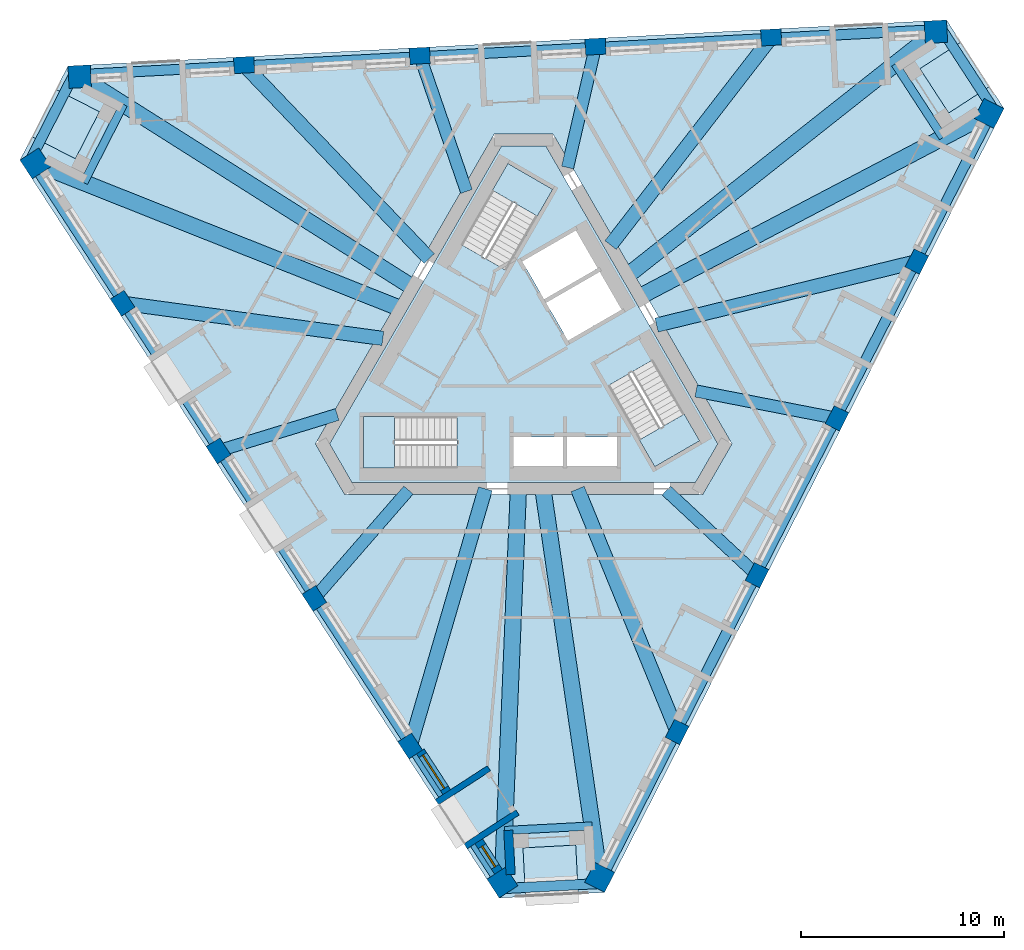
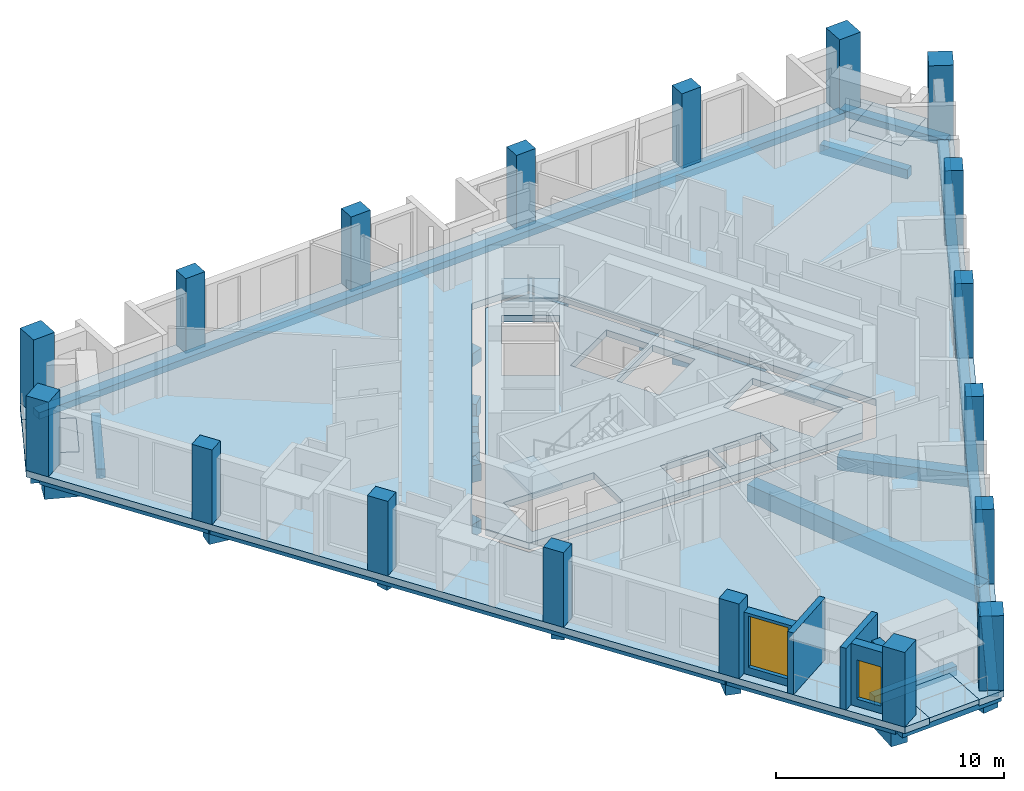
# One storey, part 1 of 13: 27 beams, 18 columns, 8 slabs, 5 walls, 2 windows, 2 openings, 3 elements without a shape of their own.
"""IFC4 building model written with IfcOpenShell, lengths in metres."""

from ifc_helpers import new_model, si_unit, direction, frame, frame_2d, origin, origin_2d, place, context, subcontext, project, spatial, polyline, rectangle, outline, extrude, material, layer, layer_set, material_profile, profile_set, type_object, element, fill, aggregate, save


model = new_model("IFC4")

# Units and contexts
model_context = context("Model", 3, precision=1e-05, world=origin(), true_north=direction((0.0, 1.0)))
body_context = subcontext(model_context, "Body", "Model", "MODEL_VIEW")
ifc_project = project(units=[si_unit("LENGTHUNIT", "METRE"), si_unit("AREAUNIT", "SQUARE_METRE"), si_unit("VOLUMEUNIT", "CUBIC_METRE"), si_unit("PLANEANGLEUNIT", "RADIAN"), si_unit("MASSUNIT", "GRAM", prefix="KILO")], contexts=[model_context])

# Site, building, storey
site_placement = place(None, origin())
site = spatial("IfcSite", under=ifc_project, at=site_placement, CompositionType="ELEMENT")
building_placement = place(site_placement, origin())
building = spatial("IfcBuilding", under=site, at=building_placement, Name="Tramontana Tower", CompositionType="ELEMENT")
storey_placement = place(building_placement, frame((0.0, 0.0, 294.39990234375)))
storey = spatial("IfcBuildingStorey", under=building, at=storey_placement, Name="L69", CompositionType="ELEMENT", Elevation=294.39990234375)

# Columns
ifc_material_1 = material(Name="Concrete 55 MPa", Category="concrete")
ifc_material_profile_1 = material_profile(ifc_material_1, rectangle(XDim=1.10009765625, YDim=1.10009765625, at=origin_2d()), Name="Mega column 1100X1100 55 MPa")
ifc_profile_set_1 = profile_set([ifc_material_profile_1], Name="Concrete 55 MPa")
column_type_1 = type_object("IfcColumnType", Name="Mega column 1100X1100 55 MPa", PredefinedType="COLUMN", material=ifc_profile_set_1)
for number, where, z_axis, x_axis, name in (
    (1, (-24.0302734375, 9.55419921875, 0.0), (0.0, 0.0, 1.0), (0.544639035015, -0.838670567945, 0.0), "Mega column C7K1 L69"),
    (2, (-1.0458984375, -25.8388671875, 0.0), (0.0, 0.0, 1.0), (0.544639035015, -0.838670567945, 0.0), "Mega column C7K2 L69"),
    (3, (3.740966796875, -25.587890625, 0.0), (0.0, 0.0, 1.0), (0.45399049974, 0.891006524188, 0.0), "Mega column C7K3 L69"),
    (4, (22.900146484375, 12.013671875, 0.0), (0.0, 0.0, 1.0), (0.45399049974, 0.891006524188, 0.0), "Mega column C7K4 L69"),
    (5, (20.289306640625, 16.033935546875, 0.0), (0.0, 0.0, 1.0), (-0.998629534755, -0.052335956243, 0.0), "Mega column C7K5 L69"),
    (6, (-21.854248046875, 13.8251953125, 0.0), (0.0, 0.0, 1.0), (-0.998629534755, -0.052335956243, 0.0), "Mega column C7K6 L69"),
):
    element("IfcColumn", number, at=place(storey_placement, frame(where, z_axis=z_axis, x_axis=x_axis)), inside=storey, type_object=column_type_1, Name=name, PredefinedType="COLUMN", context=body_context, shape_type="SweptSolid", body=[
        extrude(rectangle(XDim=1.10009765625, YDim=1.10009765625, at=origin_2d()), origin(), (0.0, 0.0, 1.0), 4.0),
    ])
ifc_material_2 = material(Name="Concrete 55 MPa", Category="concrete")
ifc_material_profile_2 = material_profile(ifc_material_2, rectangle(XDim=1.0, YDim=0.800048828125, at=origin_2d()), Name="Pier column 1000X800 55 MPa")
ifc_profile_set_2 = profile_set([ifc_material_profile_2], Name="Concrete 55 MPa")
column_type_2 = type_object("IfcColumnType", Name="Pier column 1000X800 55 MPa", PredefinedType="COLUMN", material=ifc_profile_set_2)
for number, where, z_axis, x_axis, name in (
    (7, (-19.739013671875, 2.670654296875, 0.0), (0.0, 0.0, 1.0), (0.544639035015, -0.838670567945, 0.0), "Pier column C7F01 L69"),
    (8, (-15.022216796875, -4.592529296875, 0.0), (0.0, 0.0, 1.0), (0.544639035015, -0.838670567945, 0.0), "Pier column C7F02 L69"),
    (9, (-10.3056640625, -11.855712890625, 0.0), (0.0, 0.0, 1.0), (0.544639035015, -0.838670567945, 0.0), "Pier column C7F03 L69"),
    (10, (-5.5888671875, -19.11865234375, 0.0), (0.0, 0.0, 1.0), (0.544639035015, -0.838670567945, 0.0), "Pier column C7F04 L69"),
    (11, (7.556640625, -18.4296875, 0.0), (0.0, 0.0, 1.0), (0.45399049974, 0.891006524188, 0.0), "Pier column C7F05 L69"),
    (12, (11.48828125, -10.71337890625, 0.0), (0.0, 0.0, 1.0), (0.45399049974, 0.891006524188, 0.0), "Pier column C7F06 L69"),
    (13, (15.419921875, -2.9970703125, 0.0), (0.0, 0.0, 1.0), (0.45399049974, 0.891006524188, 0.0), "Pier column C7F07 L69"),
    (14, (19.351806640625, 4.71923828125, 0.0), (0.0, 0.0, 1.0), (0.45399049974, 0.891006524188, 0.0), "Pier column C7F08 L69"),
    (15, (12.182373046875, 15.75927734375, 0.0), (0.0, 0.0, 1.0), (-0.998629534755, -0.052335956243, 0.0), "Pier column C7F09 L69"),
    (16, (3.533935546875, 15.305908203125, 0.0), (0.0, 0.0, 1.0), (-0.998629534755, -0.052335956243, 0.0), "Pier column C7F10 L69"),
    (17, (-5.114501953125, 14.852783203125, 0.0), (0.0, 0.0, 1.0), (-0.998629534755, -0.052335956243, 0.0), "Pier column C7F11 L69"),
    (18, (-13.762939453125, 14.3994140625, 0.0), (0.0, 0.0, 1.0), (-0.998629534755, -0.052335956243, 0.0), "Pier column C7F12 L69"),
):
    element("IfcColumn", number, at=place(storey_placement, frame(where, z_axis=z_axis, x_axis=x_axis)), inside=storey, type_object=column_type_2, Name=name, PredefinedType="COLUMN", context=body_context, shape_type="SweptSolid", body=[
        extrude(rectangle(XDim=1.0, YDim=0.800048828125, at=origin_2d()), origin(), (0.0, 0.0, 1.0), 4.0),
    ])

# Beams
ifc_material_3 = material(Name="Concrete 40 MPa", Category="concrete")
ifc_material_profile_3 = material_profile(ifc_material_3, rectangle(XDim=0.5, YDim=0.35009765625, at=origin_2d()), Name="RC EDGE BEAM 500X350 40 MPa")
ifc_profile_set_3 = profile_set([ifc_material_profile_3], Name="Concrete 40 MPa")
beam_type_1 = type_object("IfcBeamType", Name="RC EDGE BEAM 500X350 40 MPa", PredefinedType="SPANDREL", material=ifc_profile_set_3)
beam_1_placement = place(storey_placement, frame((-24.1142578125, 9.499755859375, -0.52490234375), z_axis=(0.544636517119, -0.838672203081, 0.0), x_axis=(0.838672203081, 0.544636517119, 0.0)))
element("IfcBeam", 19, at=beam_1_placement, inside=storey, type_object=beam_type_1, Name="Spandrel beam S0 L69", PredefinedType="SPANDREL", context=body_context, shape_type="SweptSolid", body=[
    extrude(rectangle(XDim=0.5, YDim=0.35009765625, at=origin_2d()), origin(), (0.0, 0.0, 1.0), 42.201416015625),
])
beam_2_placement = place(storey_placement, frame((3.830078125, -25.63330078125, -0.52490234375), z_axis=(0.453990170761, 0.891006691811, 0.0), x_axis=(-0.891006691811, 0.453990170761, 0.0)))
element("IfcBeam", 20, at=beam_2_placement, inside=storey, type_object=beam_type_1, Name="Spandrel beam S1 L69", PredefinedType="SPANDREL", context=body_context, shape_type="SweptSolid", body=[
    extrude(rectangle(XDim=0.5, YDim=0.35009765625, at=origin_2d()), origin(), (0.0, 0.0, 1.0), 42.201171875),
])
beam_3_placement = place(storey_placement, frame((20.2841796875, 16.1337890625, -0.52490234375), z_axis=(-0.998629423141, -0.052338085918, 0.0), x_axis=(0.052338085918, -0.998629423141, 0.0)))
element("IfcBeam", 21, at=beam_3_placement, inside=storey, type_object=beam_type_1, Name="Spandrel beam S2 L69", PredefinedType="SPANDREL", context=body_context, shape_type="SweptSolid", body=[
    extrude(rectangle(XDim=0.5, YDim=0.35009765625, at=origin_2d()), origin(), (0.0, 0.0, 1.0), 42.201416015625),
])
for number, where, z_axis, x_axis, name in (
    (22, (-22.03125, 14.141357421875, -0.52490234375), (-0.453966603753, -0.891018699398, 0.0), (0.891018699398, -0.453966603753, 0.0), "Spandrel beam K0 L69"),
    (23, (-1.231201171875, -26.150390625, -0.52490234375), (0.99862935635, 0.05233936029, 0.0), (-0.05233936029, 0.99862935635, 0.0), "Spandrel beam K1 L69"),
    (24, (23.262451171875, 12.0087890625, -0.52490234375), (-0.544641495757, 0.838668969916, 0.0), (-0.838668969916, -0.544641495757, 0.0), "Spandrel beam K2 L69"),
):
    element("IfcBeam", number, at=place(storey_placement, frame(where, z_axis=z_axis, x_axis=x_axis)), inside=storey, type_object=beam_type_1, Name=name, PredefinedType="SPANDREL", context=body_context, shape_type="SweptSolid", body=[
        extrude(rectangle(XDim=0.5, YDim=0.35009765625, at=origin_2d()), origin(), (0.0, 0.0, 1.0), 5.1962890625),
    ])
ifc_material_4 = material(Name="Concrete 40 MPa", Category="concrete")
ifc_material_profile_4 = material_profile(ifc_material_4, rectangle(XDim=0.60009765625, YDim=0.699951171875, at=origin_2d()), Name="RC GIRDER 600X700 40 MPa")
ifc_profile_set_4 = profile_set([ifc_material_profile_4], Name="Concrete 40 MPa")
beam_type_2 = type_object("IfcBeamType", Name="RC GIRDER 600X700 40 MPa", PredefinedType="BEAM", material=ifc_profile_set_4)
beam_4_placement = place(storey_placement, frame((-15.022216796875, -4.592529296875, -0.699951171875), z_axis=(0.956311245936, 0.292350476137, 0.0), x_axis=(-0.292350476137, 0.956311245936, 0.0)))
element("IfcBeam", 25, at=beam_4_placement, inside=storey, type_object=beam_type_2, Name="Radial girder C7F02 L69", PredefinedType="BEAM", context=body_context, shape_type="SweptSolid", body=[
    extrude(rectangle(XDim=0.60009765625, YDim=0.699951171875, at=origin_2d()), origin(), (0.0, 0.0, 1.0), 6.111328125),
])
beam_5_placement = place(storey_placement, frame((-10.3056640625, -11.855712890625, -0.699951171875), z_axis=(0.656054652409, 0.754713384705, 0.0), x_axis=(-0.754713384705, 0.656054652409, 0.0)))
element("IfcBeam", 26, at=beam_5_placement, inside=storey, type_object=beam_type_2, Name="Radial girder C7F03 L69", PredefinedType="BEAM", context=body_context, shape_type="SweptSolid", body=[
    extrude(rectangle(XDim=0.60009765625, YDim=0.699951171875, at=origin_2d()), origin(), (0.0, 0.0, 1.0), 7.06494140625),
])
beam_6_placement = place(storey_placement, frame((11.48828125, -10.71337890625, -0.699951171875), z_axis=(-0.731344808312, 0.682007896843, 0.0), x_axis=(-0.682007896843, -0.731344808312, 0.0)))
element("IfcBeam", 27, at=beam_6_placement, inside=storey, type_object=beam_type_2, Name="Radial girder C7F06 L69", PredefinedType="BEAM", context=body_context, shape_type="SweptSolid", body=[
    extrude(rectangle(XDim=0.60009765625, YDim=0.699951171875, at=origin_2d()), origin(), (0.0, 0.0, 1.0), 6.111328125),
])
beam_7_placement = place(storey_placement, frame((15.419921875, -2.9970703125, -0.699951171875), z_axis=(-0.981630853668, 0.190790112761, 0.0), x_axis=(-0.190790112761, -0.981630853668, 0.0)))
element("IfcBeam", 28, at=beam_7_placement, inside=storey, type_object=beam_type_2, Name="Radial girder C7F07 L69", PredefinedType="BEAM", context=body_context, shape_type="SweptSolid", body=[
    extrude(rectangle(XDim=0.60009765625, YDim=0.699951171875, at=origin_2d()), origin(), (0.0, 0.0, 1.0), 7.06494140625),
])
beam_8_placement = place(storey_placement, frame((3.533935546875, 15.305908203125, -0.699951171875), z_axis=(-0.224955788451, -0.974368971818, 0.0), x_axis=(0.974368971818, -0.224955788451, 0.0)))
element("IfcBeam", 29, at=beam_8_placement, inside=storey, type_object=beam_type_2, Name="Radial girder C7F10 L69", PredefinedType="BEAM", context=body_context, shape_type="SweptSolid", body=[
    extrude(rectangle(XDim=0.60009765625, YDim=0.699951171875, at=origin_2d()), origin(), (0.0, 0.0, 1.0), 6.111328125),
])
beam_9_placement = place(storey_placement, frame((-5.114501953125, 14.852783203125, -0.699951171875), z_axis=(0.325583843266, -0.945513173364, 0.0), x_axis=(0.945513173364, 0.325583843266, 0.0)))
element("IfcBeam", 30, at=beam_9_placement, inside=storey, type_object=beam_type_2, Name="Radial girder C7F11 L69", PredefinedType="BEAM", context=body_context, shape_type="SweptSolid", body=[
    extrude(rectangle(XDim=0.60009765625, YDim=0.699951171875, at=origin_2d()), origin(), (0.0, 0.0, 1.0), 7.065185546875),
])
ifc_material_5 = material(Name="Concrete 40 MPa", Category="concrete")
ifc_material_profile_5 = material_profile(ifc_material_5, rectangle(XDim=0.699951171875, YDim=0.89990234375, at=origin_2d()), Name="RC GIRDER 700X900 40 MPa")
ifc_profile_set_5 = profile_set([ifc_material_profile_5], Name="Concrete 40 MPa")
beam_type_3 = type_object("IfcBeamType", Name="RC GIRDER 700X900 40 MPa", PredefinedType="BEAM", material=ifc_profile_set_5)
beam_10_placement = place(storey_placement, frame((-19.739013671875, 2.670654296875, -0.7998046875), z_axis=(0.990971820042, -0.134070324396, 0.0), x_axis=(0.134070324396, 0.990971820042, 0.0)))
element("IfcBeam", 31, at=beam_10_placement, inside=storey, type_object=beam_type_3, Name="Radial girder C7F01 L69", PredefinedType="BEAM", context=body_context, shape_type="SweptSolid", body=[
    extrude(rectangle(XDim=0.699951171875, YDim=0.89990234375, at=origin_2d()), origin(), (0.0, 0.0, 1.0), 12.923583984375),
])
beam_11_placement = place(storey_placement, frame((-5.5888671875, -19.11865234375, -0.7998046875), z_axis=(0.280592184152, 0.959827081402, 0.0), x_axis=(-0.959827081402, 0.280592184152, 0.0)))
element("IfcBeam", 32, at=beam_11_placement, inside=storey, type_object=beam_type_3, Name="Radial girder C7F04 L69", PredefinedType="BEAM", context=body_context, shape_type="SweptSolid", body=[
    extrude(rectangle(XDim=0.699951171875, YDim=0.89990234375, at=origin_2d()), origin(), (0.0, 0.0, 1.0), 13.186279296875),
])
beam_12_placement = place(storey_placement, frame((7.556640625, -18.4296875, -0.7998046875), z_axis=(-0.379376408021, 0.925242422848, 0.0), x_axis=(-0.925242422848, -0.379376408021, 0.0)))
element("IfcBeam", 33, at=beam_12_placement, inside=storey, type_object=beam_type_3, Name="Radial girder C7F05 L69", PredefinedType="BEAM", context=body_context, shape_type="SweptSolid", body=[
    extrude(rectangle(XDim=0.699951171875, YDim=0.89990234375, at=origin_2d()), origin(), (0.0, 0.0, 1.0), 12.92333984375),
])
beam_13_placement = place(storey_placement, frame((19.351806640625, 4.71923828125, -0.7998046875), z_axis=(-0.971531149173, -0.2369118532, 0.0), x_axis=(0.2369118532, -0.971531149173, 0.0)))
element("IfcBeam", 34, at=beam_13_placement, inside=storey, type_object=beam_type_3, Name="Radial girder C7F08 L69", PredefinedType="BEAM", context=body_context, shape_type="SweptSolid", body=[
    extrude(rectangle(XDim=0.699951171875, YDim=0.89990234375, at=origin_2d()), origin(), (0.0, 0.0, 1.0), 13.1865234375),
])
beam_14_placement = place(storey_placement, frame((12.182373046875, 15.75927734375, -0.7998046875), z_axis=(-0.611594268049, -0.791171568808, 0.0), x_axis=(0.791171568808, -0.611594268049, 0.0)))
element("IfcBeam", 35, at=beam_14_placement, inside=storey, type_object=beam_type_3, Name="Radial girder C7F09 L69", PredefinedType="BEAM", context=body_context, shape_type="SweptSolid", body=[
    extrude(rectangle(XDim=0.699951171875, YDim=0.89990234375, at=origin_2d()), origin(), (0.0, 0.0, 1.0), 12.923583984375),
])
beam_15_placement = place(storey_placement, frame((-13.762939453125, 14.3994140625, -0.7998046875), z_axis=(0.69094809316, -0.722904373039, 0.0), x_axis=(0.722904373039, 0.69094809316, 0.0)))
element("IfcBeam", 36, at=beam_15_placement, inside=storey, type_object=beam_type_3, Name="Radial girder C7F12 L69", PredefinedType="BEAM", context=body_context, shape_type="SweptSolid", body=[
    extrude(rectangle(XDim=0.699951171875, YDim=0.89990234375, at=origin_2d()), origin(), (0.0, 0.0, 1.0), 13.186279296875),
])
ifc_material_6 = material(Name="Concrete 40 MPa", Category="concrete")
ifc_material_profile_6 = material_profile(ifc_material_6, rectangle(XDim=0.800048828125, YDim=1.10009765625, at=origin_2d()), Name="RC GIRDER 800X1100 40 MPa")
ifc_profile_set_6 = profile_set([ifc_material_profile_6], Name="Concrete 40 MPa")
beam_type_4 = type_object("IfcBeamType", Name="RC GIRDER 800X1100 40 MPa", PredefinedType="BEAM", material=ifc_profile_set_6)
beam_16_placement = place(storey_placement, frame((-24.030517578125, 9.55419921875, -0.89990234375), z_axis=(0.929246961318, -0.369459178912, 0.0), x_axis=(0.369459178912, 0.929246961318, 0.0)))
element("IfcBeam", 37, at=beam_16_placement, inside=storey, type_object=beam_type_4, Name="Radial girder C7K1 L69", PredefinedType="BEAM", context=body_context, shape_type="SweptSolid", body=[
    extrude(rectangle(XDim=0.800048828125, YDim=1.10009765625, at=origin_2d()), origin(), (0.0, 0.0, 1.0), 19.33837890625),
])
beam_17_placement = place(storey_placement, frame((-1.0458984375, -25.8388671875, -0.89990234375), z_axis=(0.040449893492, 0.999181568143, 0.0), x_axis=(-0.999181568143, 0.040449893492, 0.0)))
element("IfcBeam", 38, at=beam_17_placement, inside=storey, type_object=beam_type_4, Name="Radial girder C7K2 L69", PredefinedType="BEAM", context=body_context, shape_type="SweptSolid", body=[
    extrude(rectangle(XDim=0.800048828125, YDim=1.10009765625, at=origin_2d()), origin(), (0.0, 0.0, 1.0), 19.404541015625),
])
beam_18_placement = place(storey_placement, frame((3.7412109375, -25.587890625, -0.89990234375), z_axis=(-0.144667438406, 0.989480334451, 0.0), x_axis=(-0.989480334451, -0.144667438406, 0.0)))
element("IfcBeam", 39, at=beam_18_placement, inside=storey, type_object=beam_type_4, Name="Radial girder C7K3 L69", PredefinedType="BEAM", context=body_context, shape_type="SweptSolid", body=[
    extrude(rectangle(XDim=0.800048828125, YDim=1.10009765625, at=origin_2d()), origin(), (0.0, 0.0, 1.0), 19.338134765625),
])
beam_19_placement = place(storey_placement, frame((22.89990234375, 12.013671875, -0.89990234375), z_axis=(-0.885538061337, -0.46456683257, 0.0), x_axis=(0.46456683257, -0.885538061337, 0.0)))
element("IfcBeam", 40, at=beam_19_placement, inside=storey, type_object=beam_type_4, Name="Radial girder C7K4 L69", PredefinedType="BEAM", context=body_context, shape_type="SweptSolid", body=[
    extrude(rectangle(XDim=0.800048828125, YDim=1.10009765625, at=origin_2d()), origin(), (0.0, 0.0, 1.0), 19.404296875),
])
beam_20_placement = place(storey_placement, frame((20.289306640625, 16.03369140625, -0.89990234375), z_axis=(-0.784585689125, -0.620020400003, 0.0), x_axis=(0.620020400003, -0.784585689125, 0.0)))
element("IfcBeam", 41, at=beam_20_placement, inside=storey, type_object=beam_type_4, Name="Radial girder C7K5 L69", PredefinedType="BEAM", context=body_context, shape_type="SweptSolid", body=[
    extrude(rectangle(XDim=0.800048828125, YDim=1.10009765625, at=origin_2d()), origin(), (0.0, 0.0, 1.0), 19.338134765625),
])
beam_21_placement = place(storey_placement, frame((-21.85400390625, 13.8251953125, -0.89990234375), z_axis=(0.845090437102, -0.53462337502, 0.0), x_axis=(0.53462337502, 0.845090437102, 0.0)))
element("IfcBeam", 42, at=beam_21_placement, inside=storey, type_object=beam_type_4, Name="Radial girder C7K6 L69", PredefinedType="BEAM", context=body_context, shape_type="SweptSolid", body=[
    extrude(rectangle(XDim=0.800048828125, YDim=1.10009765625, at=origin_2d()), origin(), (0.0, 0.0, 1.0), 19.404296875),
])
ifc_material_7 = material(Name="Concrete 40 MPa", Category="concrete")
ifc_material_profile_7 = material_profile(ifc_material_7, rectangle(XDim=0.39990234375, YDim=0.5, at=origin_2d()), Name="RC TRIM BEAM 400X500 40 MPa")
ifc_profile_set_7 = profile_set([ifc_material_profile_7], Name="Concrete 40 MPa")
beam_type_5 = type_object("IfcBeamType", Name="RC TRIM BEAM 400X500 40 MPa", PredefinedType="JOIST", material=ifc_profile_set_7)
for number, where, z_axis, x_axis, name in (
    (43, (-19.69091796875, 12.456787109375, -0.599853515625), (-0.454006220993, -0.890998513635, 0.0), (0.890998513635, -0.454006220993, 0.0), "Trimmer beam K0 L69"),
    (44, (-0.9423828125, -23.28125, -0.599853515625), (0.998629204559, 0.052342256377, 0.0), (-0.052342256377, 0.998629204559, 0.0), "Trimmer beam K1 L69"),
    (45, (20.63330078125, 10.824462890625, -0.599853515625), (-0.544628679426, 0.838677292853, 0.0), (-0.838677292853, -0.544628679426, 0.0), "Trimmer beam K2 L69"),
):
    element("IfcBeam", number, at=place(storey_placement, frame(where, z_axis=z_axis, x_axis=x_axis)), inside=storey, type_object=beam_type_5, Name=name, PredefinedType="JOIST", context=body_context, shape_type="SweptSolid", body=[
        extrude(rectangle(XDim=0.39990234375, YDim=0.5, at=origin_2d()), origin(), (0.0, 0.0, 1.0), 4.319091796875),
    ])

# Slabs
ifc_material_8 = material(Name="Precast concrete 50 MPa", Category="concrete")
ifc_layer_1 = layer(ifc_material_8, 0.25)
ifc_layer_set_1 = layer_set([ifc_layer_1], Name="LT1 Loggia floor tray 250")
slab_type_1 = type_object("IfcSlabType", Name="LT1 Loggia floor tray 250", PredefinedType="FLOOR", material=ifc_layer_set_1)
slab_1_placement = place(storey_placement, frame((0.0, 0.0, -0.25)))
element("IfcSlab", 46, at=slab_1_placement, inside=storey, type_object=slab_type_1, Name="Corner loggia floor L69 K70", PredefinedType="FLOOR", context=body_context, shape_type="SweptSolid", body=[
    extrude(outline(polyline([(-23.021484375, 13.18896484375), (-20.883056640625, 12.099365234375), (-22.0634765625, 9.782958984375), (-24.201904296875, 10.87255859375), (-23.021484375, 13.18896484375)])), origin(), (0.0, 0.0, 1.0), 0.25),
])
slab_2_placement = place(storey_placement, frame((0.0, 0.0, -0.25)))
element("IfcSlab", 47, at=slab_2_placement, inside=storey, type_object=slab_type_1, Name="Corner loggia floor L69 K71", PredefinedType="FLOOR", context=body_context, shape_type="SweptSolid", body=[
    extrude(outline(polyline([(0.088623046875, -26.53173828125), (-0.036865234375, -24.135009765625), (2.5595703125, -23.9990234375), (2.68505859375, -26.395751953125), (0.088623046875, -26.53173828125)])), origin(), (0.0, 0.0, 1.0), 0.25),
])
slab_3_placement = place(storey_placement, frame((0.0, 0.0, -0.25)))
element("IfcSlab", 48, at=slab_3_placement, inside=storey, type_object=slab_type_1, Name="Corner loggia floor L69 K72", PredefinedType="FLOOR", context=body_context, shape_type="SweptSolid", body=[
    extrude(outline(polyline([(22.932861328125, 13.3427734375), (20.919921875, 12.03564453125), (19.50390625, 14.216064453125), (21.516845703125, 15.523193359375), (22.932861328125, 13.3427734375)])), origin(), (0.0, 0.0, 1.0), 0.25),
])
ifc_material_9 = material(Name="Concrete 40 MPa", Category="concrete")
ifc_layer_2 = layer(ifc_material_9, 0.35009765625)
ifc_layer_set_2 = layer_set([ifc_layer_2], Name="PT FLAT SLAB 350 40 MPa")
slab_type_2 = type_object("IfcSlabType", Name="PT FLAT SLAB 350 40 MPa", PredefinedType="FLOOR", material=ifc_layer_set_2)
slab_4_placement = place(storey_placement, frame((0.0, 0.0, -0.349853515625)))
element("IfcSlab", 49, at=slab_4_placement, inside=storey, type_object=slab_type_2, Name="Floor slab L69", PredefinedType="FLOOR", context=body_context, shape_type="SweptSolid", body=[
    extrude(outline(polyline([(21.5166015625, 15.523193359375), (19.50390625, 14.216064453125), (20.919921875, 12.035400390625), (22.932861328125, 13.3427734375), (23.639892578125, 12.25390625), (3.9814453125, -26.32763671875), (2.68505859375, -26.3955078125), (2.5595703125, -23.998779296875), (-0.036865234375, -24.135009765625), (0.088623046875, -26.53173828125), (-1.20751953125, -26.599609375), (-24.791259765625, 9.7158203125), (-24.201904296875, 10.872314453125), (-22.0634765625, 9.782958984375), (-20.883056640625, 12.099609375), (-23.021484375, 13.189208984375), (-22.43212890625, 14.345703125), (20.809814453125, 16.61181640625), (21.5166015625, 15.523193359375)]), holes=[polyline([(-10.248046875, -4.25), (-8.8046875, -6.75), (8.8046875, -6.75), (10.248046875, -4.25), (1.443359375, 11.0), (-1.443359375, 11.0), (-10.248046875, -4.25)])]), origin(), (0.0, 0.0, 1.0), 0.349853515625),
])
slab_5_placement = place(storey_placement, frame((0.0, 0.0, -0.349853515625)))
element("IfcSlab", 50, at=slab_5_placement, inside=storey, type_object=slab_type_2, Name="Core floor slab L69", PredefinedType="FLOOR", context=body_context, shape_type="SweptSolid", body=[
    extrude(outline(polyline([(9.55517578125, -4.25), (8.458251953125, -6.14990234375), (-8.458251953125, -6.14990234375), (-9.55517578125, -4.25), (-1.096923828125, 10.39990234375), (1.096923828125, 10.39990234375), (9.55517578125, -4.25)]), holes=[polyline([(8.659912109375, -4.099365234375), (6.35986328125, -0.115478515625), (4.151611328125, -1.390625), (6.451416015625, -5.374267578125), (8.659912109375, -4.099365234375)]), polyline([(3.829833984375, 4.2666015625), (1.101806640625, 2.69140625), (2.177001953125, 0.82958984375), (4.90478515625, 2.404541015625), (3.829833984375, 4.2666015625)]), polyline([(4.590087890625, -3.89990234375), (2.139892578125, -3.89990234375), (2.139892578125, -5.449951171875), (4.590087890625, -5.449951171875), (4.590087890625, -3.89990234375)]), polyline([(2.65478515625, 6.3017578125), (-0.072998046875, 4.726806640625), (1.001953125, 2.86474609375), (3.729736328125, 4.439697265625), (2.65478515625, 6.3017578125)]), polyline([(1.93994140625, -5.449951171875), (1.93994140625, -3.89990234375), (-0.510009765625, -3.89990234375), (-0.510009765625, -5.449951171875), (1.93994140625, -5.449951171875)]), polyline([(-0.77978515625, 9.54931640625), (-3.079833984375, 5.565673828125), (-0.87158203125, 4.29052734375), (1.428466796875, 8.2744140625), (-0.77978515625, 9.54931640625)]), polyline([(-7.8798828125, -5.449951171875), (-3.280029296875, -5.449951171875), (-3.280029296875, -2.89990234375), (-7.8798828125, -2.89990234375), (-7.8798828125, -5.449951171875)])]), origin(), (0.0, 0.0, 1.0), 0.349853515625),
])

# Stair, slab
ifc_material_10 = material(Name="Concrete 40 MPa", Category="concrete")
stair_type = type_object("IfcStairType", Name="EXIT STAIR 24 RISERS", PredefinedType="HALF_TURN_STAIR", material=ifc_material_10)
stair_1_placement = place(storey_placement, origin())
stair_1 = element("IfcStair", 51, at=stair_1_placement, inside=storey, type_object=stair_type, Name="L69 Exit stair ST1", PredefinedType="HALF_TURN_STAIR")
ifc_material_11 = material(Name="Concrete 40 MPa", Category="concrete")
ifc_layer_3 = layer(ifc_material_11, 0.199951171875)
ifc_layer_set_3 = layer_set([ifc_layer_3], Name="STAIR LANDING 200")
slab_type_3 = type_object("IfcSlabType", Name="STAIR LANDING 200", PredefinedType="LANDING", material=ifc_layer_set_3)
slab_6_placement = place(storey_placement, frame((0.0, 0.0, 1.800048828125)))
slab_6 = element("IfcSlab", 52, at=slab_6_placement, type_object=slab_type_3, Name="ST1 landing 1", PredefinedType="LANDING", context=body_context, shape_type="SweptSolid", body=[
    extrude(outline(polyline([(0.66845703125, 6.9580078125), (1.428466796875, 8.274169921875), (-0.77978515625, 9.54931640625), (-1.539794921875, 8.23291015625), (0.66845703125, 6.9580078125)])), origin(), (0.0, 0.0, 1.0), 0.199951171875),
])
aggregate(stair_1, [slab_6])

stair_2_placement = place(storey_placement, origin())
stair_2 = element("IfcStair", 53, at=stair_2_placement, inside=storey, type_object=stair_type, Name="L69 Exit stair ST2", PredefinedType="HALF_TURN_STAIR")
slab_7_placement = place(storey_placement, frame((0.0, 0.0, 1.800048828125)))
slab_7 = element("IfcSlab", 54, at=slab_7_placement, type_object=slab_type_3, Name="ST2 landing 1", PredefinedType="LANDING", context=body_context, shape_type="SweptSolid", body=[
    extrude(outline(polyline([(-6.360107421875, -2.89990234375), (-7.8798828125, -2.89990234375), (-7.8798828125, -5.449951171875), (-6.360107421875, -5.449951171875), (-6.360107421875, -2.89990234375)])), origin(), (0.0, 0.0, 1.0), 0.199951171875),
])
aggregate(stair_2, [slab_7])

stair_3_placement = place(storey_placement, origin())
stair_3 = element("IfcStair", 55, at=stair_3_placement, inside=storey, type_object=stair_type, Name="L69 Exit stair ST3", PredefinedType="HALF_TURN_STAIR")
slab_8_placement = place(storey_placement, frame((0.0, 0.0, 1.800048828125)))
slab_8 = element("IfcSlab", 56, at=slab_8_placement, type_object=slab_type_3, Name="ST3 landing 1", PredefinedType="LANDING", context=body_context, shape_type="SweptSolid", body=[
    extrude(outline(polyline([(5.69140625, -4.057861328125), (6.451416015625, -5.374267578125), (8.659912109375, -4.099365234375), (7.89990234375, -2.782958984375), (5.69140625, -4.057861328125)])), origin(), (0.0, 0.0, 1.0), 0.199951171875),
])
aggregate(stair_3, [slab_8])

# Wall, opening, window
ifc_material_12 = material(Name="Precast concrete 60 MPa", Category="concrete")
ifc_layer_4 = layer(ifc_material_12, 0.449951171875)
ifc_layer_set_4 = layer_set([ifc_layer_4], Name="Precast concrete 60 MPa, 450 mm")
wall_type_1 = type_object("IfcWallType", Name="EW1 Stone-faced precast wall 450", PredefinedType="SOLIDWALL", material=ifc_layer_set_4)
wall_1_placement = place(storey_placement, frame((-5.0859375, -19.38818359375, 0.0), z_axis=(0.0, 0.0, 1.0), x_axis=(0.544675520966, -0.838646872563, 0.0)))
wall_1 = element("IfcWall", 57, at=wall_1_placement, inside=storey, type_object=wall_type_1, Name="External wall L69 face 0 bay 5", PredefinedType="SOLIDWALL", context=body_context, shape_type="SweptSolid", body=[
    extrude(rectangle(XDim=2.38671875, YDim=0.449951171875, at=frame_2d((1.193359375, 0.0))), origin(), (0.0, 0.0, 1.0), 3.300048828125),
])
opening_1_placement = place(wall_1_placement, frame((0.21826171875, 0.0, 0.39990234375)))
opening_1 = element("IfcOpeningElement", 58, at=opening_1_placement, cuts=wall_1, Name="Opening M3", PredefinedType="OPENING", context=body_context, shape_type="SweptSolid", body=[
    extrude(rectangle(XDim=1.949951171875, YDim=2.75, at=frame_2d((0.97509765625, 1.375))), frame((0.0, 0.23486328125, 0.0), z_axis=(0.0, -1.0, 0.0), x_axis=(1.0, 0.0, 0.0)), (0.0, 0.0, 1.0), 0.469970703125),
])
ifc_material_13 = material(Name="Aluminum frame, double glazing unit", Category="aluminium")
window_type_1 = type_object("IfcWindowType", Name="M3 Window 1.95 x 2.75", PartitioningType="SINGLE_PANEL", PredefinedType="WINDOW", material=ifc_material_13)
window_1_placement = place(opening_1_placement, origin())
window_1 = element("IfcWindow", 59, at=window_1_placement, inside=storey, type_object=window_type_1, Name="Window M3 L69 face 0 module 13", OverallHeight=2.75, OverallWidth=1.949951171875, PartitioningType="SINGLE_PANEL", PredefinedType="WINDOW", context=body_context, shape_type="SweptSolid", body=[
    extrude(rectangle(XDim=1.949951171875, YDim=2.75, at=frame_2d((0.97509765625, 1.375))), frame((0.0, 0.030029296875, 0.0), z_axis=(0.0, -1.0, 0.0), x_axis=(1.0, 0.0, 0.0)), (0.0, 0.0, 1.0), 0.06005859375),
])
fill(opening_1, window_1)

wall_2_placement = place(storey_placement, frame((-2.2138671875, -23.81103515625, 0.0), z_axis=(0.0, 0.0, 1.0), x_axis=(0.544632902776, -0.838674550236, 0.0)))
wall_2 = element("IfcWall", 60, at=wall_2_placement, inside=storey, type_object=wall_type_1, Name="External wall L69 face 0 bay 5", PredefinedType="SOLIDWALL", context=body_context, shape_type="SweptSolid", body=[
    extrude(rectangle(XDim=1.786865234375, YDim=0.449951171875, at=frame_2d((0.8935546875, 0.0))), origin(), (0.0, 0.0, 1.0), 3.300048828125),
])
opening_2_placement = place(wall_2_placement, frame((0.29345703125, 0.0, 0.39990234375)))
opening_2 = element("IfcOpeningElement", 61, at=opening_2_placement, cuts=wall_2, Name="Opening N3L", PredefinedType="OPENING", context=body_context, shape_type="SweptSolid", body=[
    extrude(rectangle(XDim=1.199951171875, YDim=2.10009765625, at=frame_2d((0.60009765625, 1.050048828125))), frame((0.0, 0.23486328125, 0.0), z_axis=(0.0, -1.0, 0.0), x_axis=(1.0, 0.0, 0.0)), (0.0, 0.0, 1.0), 0.469970703125),
])
ifc_material_14 = material(Name="Aluminum frame, double glazing unit", Category="aluminium")
window_type_2 = type_object("IfcWindowType", Name="N3L Window 1.2 x 2.1", PartitioningType="SINGLE_PANEL", PredefinedType="WINDOW", material=ifc_material_14)
window_2_placement = place(opening_2_placement, origin())
window_2 = element("IfcWindow", 62, at=window_2_placement, inside=storey, type_object=window_type_2, Name="Window N3L L69 face 0 module 15", OverallHeight=2.10009765625, OverallWidth=1.199951171875, PartitioningType="SINGLE_PANEL", PredefinedType="WINDOW", context=body_context, shape_type="SweptSolid", body=[
    extrude(rectangle(XDim=1.199951171875, YDim=2.10009765625, at=frame_2d((0.60009765625, 1.050048828125))), frame((0.0, 0.030029296875, 0.0), z_axis=(0.0, -1.0, 0.0), x_axis=(1.0, 0.0, 0.0)), (0.0, 0.0, 1.0), 0.06005859375),
])
fill(opening_2, window_2)

# Walls
wall_3_placement = place(storey_placement, frame((-0.64404296875, -25.44775390625, 0.0), z_axis=(0.0, 0.0, 1.0), x_axis=(-0.052317751649, 0.998630488651, 0.0)))
element("IfcWall", 63, at=wall_3_placement, inside=storey, type_object=wall_type_1, Name="Corner loggia side wall L69 K71r", PredefinedType="SOLIDWALL", context=body_context, shape_type="SweptSolid", body=[
    extrude(rectangle(XDim=2.17919921875, YDim=0.449951171875, at=frame_2d((1.089599609375, 0.0))), origin(), (0.0, 0.0, 1.0), 2.550048828125),
])
ifc_material_15 = material(Name="Precast concrete 60 MPa", Category="concrete")
ifc_layer_5 = layer(ifc_material_15, 0.300048828125)
ifc_layer_set_5 = layer_set([ifc_layer_5], Name="LW1 Stone-faced loggia wall 300")
wall_type_2 = type_object("IfcWallType", Name="LW1 Stone-faced loggia wall 300", PredefinedType="SOLIDWALL", material=ifc_layer_set_5)
wall_4_placement = place(storey_placement, frame((-4.2705078125, -21.88330078125, 0.0), z_axis=(0.0, 0.0, 1.0), x_axis=(0.838688583525, 0.544611292451, 0.0)))
element("IfcWall", 64, at=wall_4_placement, inside=storey, type_object=wall_type_2, Name="Loggia return L69 G7S0.13a", PredefinedType="SOLIDWALL", context=body_context, shape_type="SweptSolid", body=[
    extrude(rectangle(XDim=3.050048828125, YDim=0.300048828125, at=frame_2d((1.52490234375, 0.0))), origin(), (0.0, 0.0, 1.0), 3.300048828125),
])
wall_5_placement = place(storey_placement, frame((-2.861572265625, -24.052734375, 0.0), z_axis=(0.0, 0.0, 1.0), x_axis=(0.838664840319, 0.544647854685, 0.0)))
element("IfcWall", 65, at=wall_5_placement, inside=storey, type_object=wall_type_2, Name="Loggia return L69 G7S0.13b", PredefinedType="SOLIDWALL", context=body_context, shape_type="SweptSolid", body=[
    extrude(rectangle(XDim=3.0498046875, YDim=0.300048828125, at=frame_2d((1.52490234375, 0.0))), origin(), (0.0, 0.0, 1.0), 3.300048828125),
])

save(model, "model.ifc")
